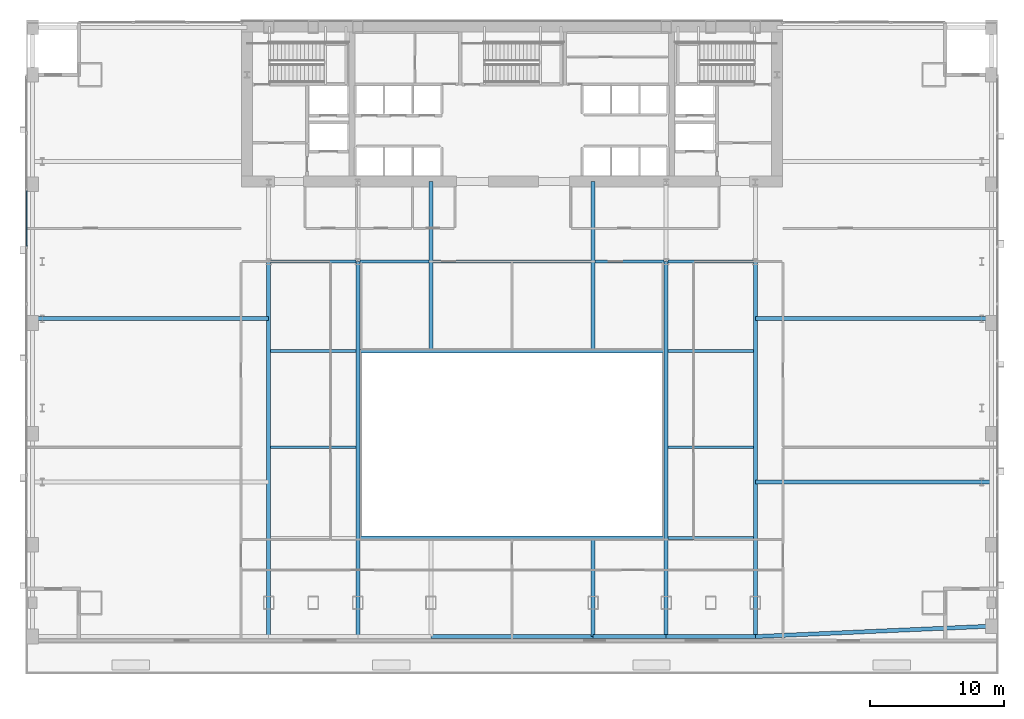
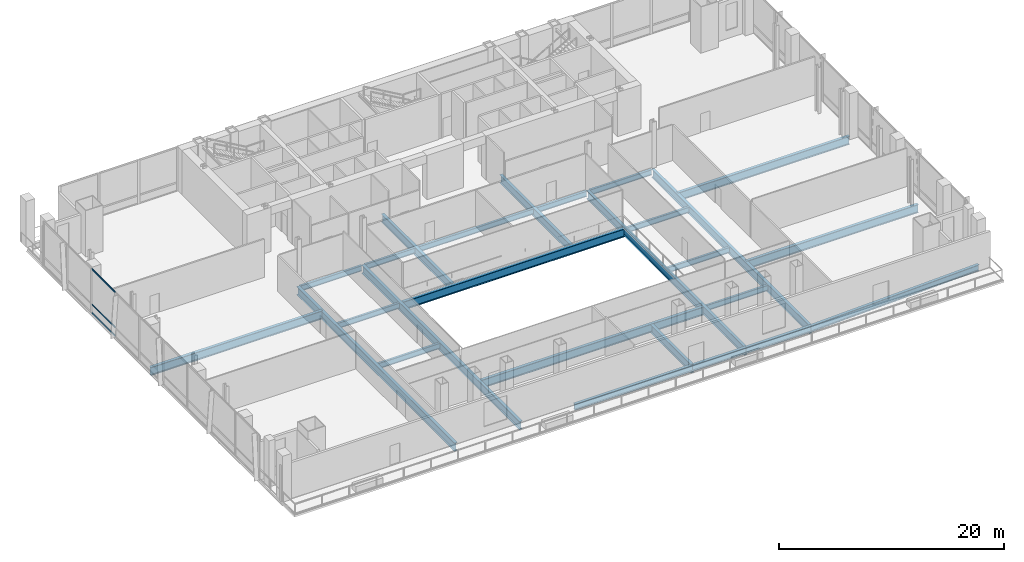
# One storey, part 9 of 26: 26 beams, 3 members, 1 element without a shape of its own.
"""IFC4 building model written with IfcOpenShell, lengths in metres."""

from ifc_helpers import new_model, si_unit, direction, frame, origin, origin_2d, place, context, subcontext, project, spatial, hollow_rectangle, i_section, extrude, material, material_profile, profile_set, type_object, element, aggregate, save


model = new_model("IFC4")

# Units and contexts
model_context = context("Model", 3, precision=1e-05, world=origin(), true_north=direction((0.0, 1.0)))
body_context = subcontext(model_context, "Body", "Model", "MODEL_VIEW")
ifc_project = project(units=[si_unit("LENGTHUNIT", "METRE"), si_unit("AREAUNIT", "SQUARE_METRE"), si_unit("VOLUMEUNIT", "CUBIC_METRE"), si_unit("PLANEANGLEUNIT", "RADIAN"), si_unit("MASSUNIT", "GRAM", prefix="KILO")], contexts=[model_context])

# Site, building, storey
site_placement = place(None, origin())
site = spatial("IfcSite", under=ifc_project, at=site_placement, CompositionType="ELEMENT")
building_placement = place(site_placement, origin())
building = spatial("IfcBuilding", under=site, at=building_placement, Name="Khoronbel Lancet Exchange", CompositionType="ELEMENT")
storey_placement = place(building_placement, frame((0.0, 0.0, 5.39990234375)))
storey = spatial("IfcBuildingStorey", under=building, at=storey_placement, Name="L01", CompositionType="ELEMENT", Elevation=5.39990234375)

# Beams
ifc_material_1 = material(Name="Steel S355", Category="steel")
ifc_material_profile_1 = material_profile(ifc_material_1, i_section(OverallWidth=0.300048828125, OverallDepth=0.89990234375, WebThickness=0.0185546875, FlangeThickness=0.034912109375, at=origin_2d()), Name="HEB 900")
ifc_profile_set_1 = profile_set([ifc_material_profile_1], Name="Steel S355")
beam_type_1 = type_object("IfcBeamType", Name="BM-BG1", PredefinedType="BEAM", material=ifc_profile_set_1)
for number, where, z_axis, x_axis, name in (
    (1, (18.22509765625, 7.6201171875, -0.64990234375), (0.0, 1.0, 0.0), (-1.0, 0.0, 0.0), "Level L01 south primary girder GS1"),
    (2, (24.89990234375, 7.6201171875, -0.64990234375), (0.0, 1.0, 0.0), (-1.0, 0.0, 0.0), "Level L01 south primary girder GS2"),
):
    element("IfcBeam", number, at=place(storey_placement, frame(where, z_axis=z_axis, x_axis=x_axis)), inside=storey, type_object=beam_type_1, Name=name, PredefinedType="BEAM", context=body_context, shape_type="SweptSolid", body=[
        extrude(i_section(OverallWidth=0.300048828125, OverallDepth=0.89990234375, WebThickness=0.0185546875, FlangeThickness=0.034912109375, at=origin_2d()), origin(), (0.0, 0.0, 1.0), 28.079833984375),
    ])
for number, where, z_axis, x_axis, name in (
    (3, (25.050048828125, 15.0, -0.64990234375), (1.0, 0.0, 0.0), (0.0, 1.0, 0.0), "Level L01 exchange hall void header girder ATRS"),
    (4, (25.050048828125, 29.0, -0.64990234375), (1.0, 0.0, 0.0), (0.0, 1.0, 0.0), "Level L01 exchange hall void header girder ATRN"),
):
    element("IfcBeam", number, at=place(storey_placement, frame(where, z_axis=z_axis, x_axis=x_axis)), inside=storey, type_object=beam_type_1, Name=name, PredefinedType="BEAM", context=body_context, shape_type="SweptSolid", body=[
        extrude(i_section(OverallWidth=0.300048828125, OverallDepth=0.89990234375, WebThickness=0.0185546875, FlangeThickness=0.034912109375, at=origin_2d()), origin(), (0.0, 0.0, 1.0), 22.800048828125),
    ])
beam_1_placement = place(storey_placement, frame((30.375, 29.14990234375, -0.64990234375), z_axis=(0.0, 1.0, 0.0), x_axis=(-1.0, 0.0, 0.0)))
element("IfcBeam", 5, at=beam_1_placement, inside=storey, type_object=beam_type_1, Name="Level L01 north gallery girder GN3", PredefinedType="BEAM", context=body_context, shape_type="SweptSolid", body=[
    extrude(i_section(OverallWidth=0.300048828125, OverallDepth=0.89990234375, WebThickness=0.0185546875, FlangeThickness=0.034912109375, at=origin_2d()), origin(), (0.0, 0.0, 1.0), 12.550048828125),
])
beam_2_placement = place(storey_placement, frame((42.52490234375, 7.6201171875, -0.64990234375), z_axis=(0.0, 1.0, 0.0), x_axis=(-1.0, 0.0, 0.0)))
element("IfcBeam", 6, at=beam_2_placement, inside=storey, type_object=beam_type_1, Name="Level L01 south gallery & terrace cantilever girder GS4", PredefinedType="BEAM", context=body_context, shape_type="SweptSolid", body=[
    extrude(i_section(OverallWidth=0.300048828125, OverallDepth=0.89990234375, WebThickness=0.0185546875, FlangeThickness=0.034912109375, at=origin_2d()), origin(), (0.0, 0.0, 1.0), 7.22998046875),
])
beam_3_placement = place(storey_placement, frame((42.52490234375, 29.14990234375, -0.64990234375), z_axis=(0.0, 1.0, 0.0), x_axis=(-1.0, 0.0, 0.0)))
element("IfcBeam", 7, at=beam_3_placement, inside=storey, type_object=beam_type_1, Name="Level L01 north gallery girder GN4", PredefinedType="BEAM", context=body_context, shape_type="SweptSolid", body=[
    extrude(i_section(OverallWidth=0.300048828125, OverallDepth=0.89990234375, WebThickness=0.0185546875, FlangeThickness=0.034912109375, at=origin_2d()), origin(), (0.0, 0.0, 1.0), 12.550048828125),
])
for number, where, z_axis, x_axis, name in (
    (8, (48.0, 7.6201171875, -0.64990234375), (0.0, 1.0, 0.0), (-1.0, 0.0, 0.0), "Level L01 south primary girder GS5"),
    (9, (54.675048828125, 7.6201171875, -0.64990234375), (0.0, 1.0, 0.0), (-1.0, 0.0, 0.0), "Level L01 south primary girder GS6"),
):
    element("IfcBeam", number, at=place(storey_placement, frame(where, z_axis=z_axis, x_axis=x_axis)), inside=storey, type_object=beam_type_1, Name=name, PredefinedType="BEAM", context=body_context, shape_type="SweptSolid", body=[
        extrude(i_section(OverallWidth=0.300048828125, OverallDepth=0.89990234375, WebThickness=0.0185546875, FlangeThickness=0.034912109375, at=origin_2d()), origin(), (0.0, 0.0, 1.0), 28.079833984375),
    ])
for number, where, z_axis, x_axis, name in (
    (10, (54.675048828125, 19.199951171875, -0.64990234375), (1.0, 0.0, 0.0), (0.0, 1.0, 0.0), "Level L01 east lens tie girder LG1E"),
    (11, (0.550048828125, 31.425048828125, -0.64990234375), (1.0, 0.0, 0.0), (0.0, 1.0, 0.0), "Level L01 west lens tie girder LG2W"),
    (12, (54.675048828125, 31.425048828125, -0.64990234375), (1.0, 0.0, 0.0), (0.0, 1.0, 0.0), "Level L01 east lens tie girder LG2E"),
):
    element("IfcBeam", number, at=place(storey_placement, frame(where, z_axis=z_axis, x_axis=x_axis)), inside=storey, type_object=beam_type_1, Name=name, PredefinedType="BEAM", context=body_context, shape_type="SweptSolid", body=[
        extrude(i_section(OverallWidth=0.300048828125, OverallDepth=0.89990234375, WebThickness=0.0185546875, FlangeThickness=0.034912109375, at=origin_2d()), origin(), (0.0, 0.0, 1.0), 17.675048828125),
    ])
ifc_material_profile_2 = material_profile(ifc_material_1, i_section(OverallWidth=0.219970703125, OverallDepth=0.60009765625, WebThickness=0.011962890625, FlangeThickness=0.01904296875, at=origin_2d()), Name="IPE 600")
ifc_profile_set_2 = profile_set([ifc_material_profile_2], Name="Steel S355")
beam_type_2 = type_object("IfcBeamType", Name="BM-BJ1", PredefinedType="JOIST", material=ifc_profile_set_2)
for number, where, z_axis, x_axis, name in (
    (13, (48.14990234375, 15.0, -0.5), (1.0, 0.0, 0.0), (0.0, 1.0, 0.0), "Level L01 secondary composite joist J02"),
    (14, (18.375, 21.800048828125, -0.5), (1.0, 0.0, 0.0), (0.0, 1.0, 0.0), "Level L01 secondary composite joist J03"),
    (15, (48.14990234375, 21.800048828125, -0.5), (1.0, 0.0, 0.0), (0.0, 1.0, 0.0), "Level L01 secondary composite joist J04"),
    (16, (18.375, 29.0, -0.5), (1.0, 0.0, 0.0), (0.0, 1.0, 0.0), "Level L01 secondary composite joist J05"),
    (17, (48.14990234375, 29.0, -0.5), (1.0, 0.0, 0.0), (0.0, 1.0, 0.0), "Level L01 secondary composite joist J06"),
    (18, (18.375, 35.699951171875, -0.5), (1.0, 0.0, 0.0), (0.0, 1.0, 0.0), "Level L01 secondary composite joist J07"),
):
    element("IfcBeam", number, at=place(storey_placement, frame(where, z_axis=z_axis, x_axis=x_axis)), inside=storey, type_object=beam_type_2, Name=name, PredefinedType="JOIST", context=body_context, shape_type="SweptSolid", body=[
        extrude(i_section(OverallWidth=0.219970703125, OverallDepth=0.60009765625, WebThickness=0.011962890625, FlangeThickness=0.01904296875, at=origin_2d()), origin(), (0.0, 0.0, 1.0), 6.375),
    ])
beam_4_placement = place(storey_placement, frame((25.050048828125, 35.699951171875, -0.5), z_axis=(1.0, 0.0, 0.0), x_axis=(0.0, 1.0, 0.0)))
element("IfcBeam", 19, at=beam_4_placement, inside=storey, type_object=beam_type_2, Name="Level L01 secondary composite joist J08", PredefinedType="JOIST", context=body_context, shape_type="SweptSolid", body=[
    extrude(i_section(OverallWidth=0.219970703125, OverallDepth=0.60009765625, WebThickness=0.011962890625, FlangeThickness=0.01904296875, at=origin_2d()), origin(), (0.0, 0.0, 1.0), 5.175048828125),
])
beam_5_placement = place(storey_placement, frame((30.52490234375, 35.699951171875, -0.5), z_axis=(1.0, 0.0, 0.0), x_axis=(0.0, 1.0, 0.0)))
element("IfcBeam", 20, at=beam_5_placement, inside=storey, type_object=beam_type_2, Name="Level L01 secondary composite joist J09", PredefinedType="JOIST", context=body_context, shape_type="SweptSolid", body=[
    extrude(i_section(OverallWidth=0.219970703125, OverallDepth=0.60009765625, WebThickness=0.011962890625, FlangeThickness=0.01904296875, at=origin_2d()), origin(), (0.0, 0.0, 1.0), 11.85009765625),
])
beam_6_placement = place(storey_placement, frame((42.675048828125, 35.699951171875, -0.5), z_axis=(1.0, 0.0, 0.0), x_axis=(0.0, 1.0, 0.0)))
element("IfcBeam", 21, at=beam_6_placement, inside=storey, type_object=beam_type_2, Name="Level L01 secondary composite joist J10", PredefinedType="JOIST", context=body_context, shape_type="SweptSolid", body=[
    extrude(i_section(OverallWidth=0.219970703125, OverallDepth=0.60009765625, WebThickness=0.011962890625, FlangeThickness=0.01904296875, at=origin_2d()), origin(), (0.0, 0.0, 1.0), 5.175048828125),
])
beam_7_placement = place(storey_placement, frame((48.14990234375, 35.699951171875, -0.5), z_axis=(1.0, 0.0, 0.0), x_axis=(0.0, 1.0, 0.0)))
element("IfcBeam", 22, at=beam_7_placement, inside=storey, type_object=beam_type_2, Name="Level L01 secondary composite joist J11", PredefinedType="JOIST", context=body_context, shape_type="SweptSolid", body=[
    extrude(i_section(OverallWidth=0.219970703125, OverallDepth=0.60009765625, WebThickness=0.011962890625, FlangeThickness=0.01904296875, at=origin_2d()), origin(), (0.0, 0.0, 1.0), 6.375),
])
ifc_material_profile_3 = material_profile(ifc_material_1, i_section(OverallWidth=0.300048828125, OverallDepth=0.64990234375, WebThickness=0.01611328125, FlangeThickness=0.031005859375, at=origin_2d()), Name="HEB 650")
ifc_profile_set_3 = profile_set([ifc_material_profile_3], Name="Steel S355")
beam_type_3 = type_object("IfcBeamType", Name="BM-BSP1", PredefinedType="SPANDREL", material=ifc_profile_set_3)
beam_8_placement = place(storey_placement, frame((30.375, 7.6201171875, -0.52490234375), z_axis=(1.0, 0.0, 0.0), x_axis=(0.0, 1.0, 0.0)))
element("IfcBeam", 23, at=beam_8_placement, inside=storey, type_object=beam_type_3, Name="Level L01 perimeter spandrel beam SP04", PredefinedType="SPANDREL", context=body_context, shape_type="SweptSolid", body=[
    extrude(i_section(OverallWidth=0.300048828125, OverallDepth=0.64990234375, WebThickness=0.01611328125, FlangeThickness=0.031005859375, at=origin_2d()), origin(), (0.0, 0.0, 1.0), 12.14990234375),
])
beam_9_placement = place(storey_placement, frame((42.52490234375, 7.6201171875, -0.52490234375), z_axis=(1.0, 0.0, 0.0), x_axis=(0.0, 1.0, 0.0)))
element("IfcBeam", 24, at=beam_9_placement, inside=storey, type_object=beam_type_3, Name="Level L01 perimeter spandrel beam SP05", PredefinedType="SPANDREL", context=body_context, shape_type="SweptSolid", body=[
    extrude(i_section(OverallWidth=0.300048828125, OverallDepth=0.64990234375, WebThickness=0.01611328125, FlangeThickness=0.031005859375, at=origin_2d()), origin(), (0.0, 0.0, 1.0), 5.47509765625),
])
beam_10_placement = place(storey_placement, frame((48.0, 7.6201171875, -0.52490234375), z_axis=(1.0, 0.0, 0.0), x_axis=(0.0, 1.0, 0.0)))
element("IfcBeam", 25, at=beam_10_placement, inside=storey, type_object=beam_type_3, Name="Level L01 perimeter spandrel beam SP06", PredefinedType="SPANDREL", context=body_context, shape_type="SweptSolid", body=[
    extrude(i_section(OverallWidth=0.300048828125, OverallDepth=0.64990234375, WebThickness=0.01611328125, FlangeThickness=0.031005859375, at=origin_2d()), origin(), (0.0, 0.0, 1.0), 6.675048828125),
])
beam_11_placement = place(storey_placement, frame((54.675048828125, 7.6201171875, -0.52490234375), z_axis=(0.999028226002, 0.044074977608, 0.0), x_axis=(-0.044074977608, 0.999028226002, 0.0)))
element("IfcBeam", 26, at=beam_11_placement, inside=storey, type_object=beam_type_3, Name="Level L01 perimeter spandrel beam SP07", PredefinedType="SPANDREL", context=body_context, shape_type="SweptSolid", body=[
    extrude(i_section(OverallWidth=0.300048828125, OverallDepth=0.64990234375, WebThickness=0.01611328125, FlangeThickness=0.031005859375, at=origin_2d()), origin(), (0.0, 0.0, 1.0), 17.692138671875),
])

# Curtain wall, members
ifc_material_2 = material(Name="Low-E Solar Control Insulating Glass", Category="glass")
curtain_wall_type = type_object("IfcCurtainWallType", Name="CW-5", PredefinedType="NOTDEFINED", material=ifc_material_2)
curtain_wall_placement = place(storey_placement, origin())
curtain_wall = element("IfcCurtainWall", 27, at=curtain_wall_placement, inside=storey, type_object=curtain_wall_type, Name="Unitised curtain wall CW-L01-WEST", PredefinedType="NOTDEFINED")
ifc_material_3 = material(Name="Bronze-Anodised Aluminium 6063-T6", Category="aluminium")
ifc_material_profile_4 = material_profile(ifc_material_3, hollow_rectangle(XDim=0.074951171875, YDim=0.14990234375, WallThickness=0.00439453125, at=origin_2d()), Name="ALU TRANSOM 75x150")
ifc_profile_set_4 = profile_set([ifc_material_profile_4], Name="Bronze-Anodised Aluminium 6063-T6")
member_type = type_object("IfcMemberType", Name="MEM-CWT2", PredefinedType="USERDEFINED", material=ifc_profile_set_4)
member_1_placement = place(storey_placement, frame((0.10009765625, 41.024169921875, 0.03759765625), z_axis=(0.0, -1.0, 0.0), x_axis=(1.0, 0.0, 0.0)))
member_1 = element("IfcMember", 28, at=member_1_placement, type_object=member_type, Name="CW5 transom 3.1", ObjectType="TRANSOM", PredefinedType="USERDEFINED", context=body_context, shape_type="SweptSolid", body=[
    extrude(hollow_rectangle(XDim=0.074951171875, YDim=0.14990234375, WallThickness=0.00439453125, at=origin_2d()), origin(), (0.0, 0.0, 1.0), 4.181640625),
])
member_2_placement = place(storey_placement, frame((0.10009765625, 41.024169921875, 0.9501953125), z_axis=(0.0, -1.0, 0.0), x_axis=(1.0, 0.0, 0.0)))
member_2 = element("IfcMember", 29, at=member_2_placement, type_object=member_type, Name="CW5 transom 3.2", ObjectType="TRANSOM", PredefinedType="USERDEFINED", context=body_context, shape_type="SweptSolid", body=[
    extrude(hollow_rectangle(XDim=0.074951171875, YDim=0.14990234375, WallThickness=0.00439453125, at=origin_2d()), origin(), (0.0, 0.0, 1.0), 4.181640625),
])
member_3_placement = place(storey_placement, frame((0.10009765625, 41.024169921875, 4.7626953125), z_axis=(0.0, -1.0, 0.0), x_axis=(1.0, 0.0, 0.0)))
member_3 = element("IfcMember", 30, at=member_3_placement, type_object=member_type, Name="CW5 transom 3.3", ObjectType="TRANSOM", PredefinedType="USERDEFINED", context=body_context, shape_type="SweptSolid", body=[
    extrude(hollow_rectangle(XDim=0.074951171875, YDim=0.14990234375, WallThickness=0.00439453125, at=origin_2d()), origin(), (0.0, 0.0, 1.0), 4.181640625),
])
aggregate(curtain_wall, [member_1, member_2, member_3])

save(model, "model.ifc")
